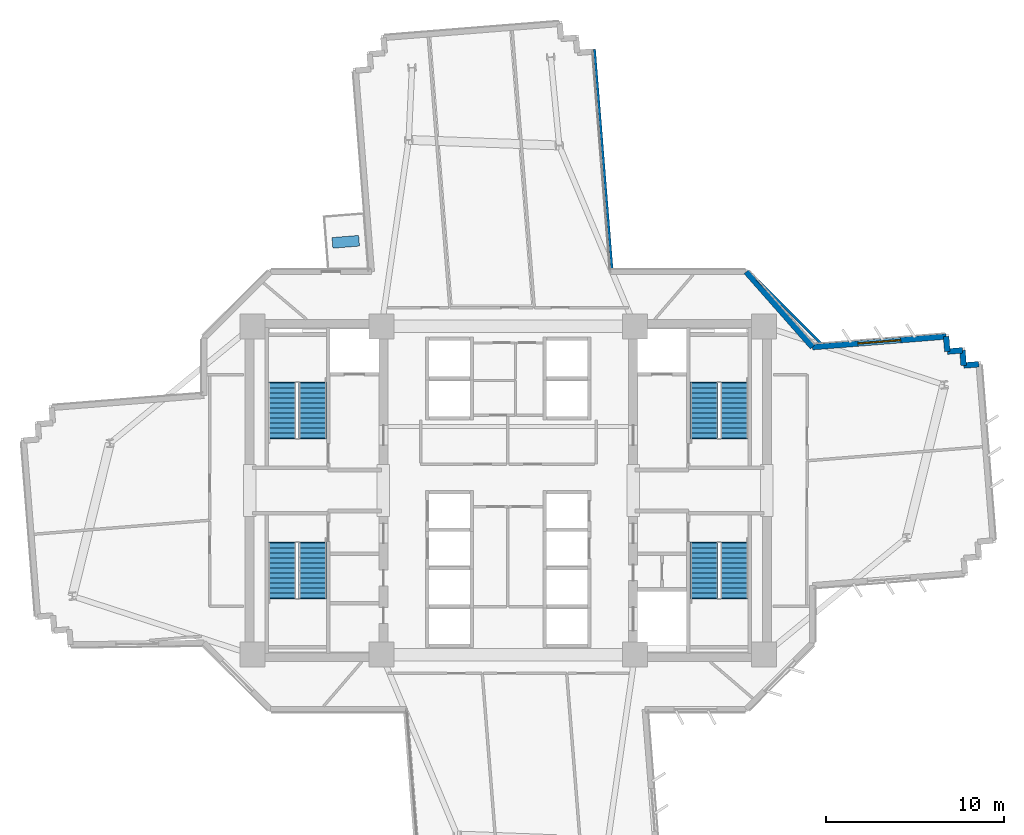
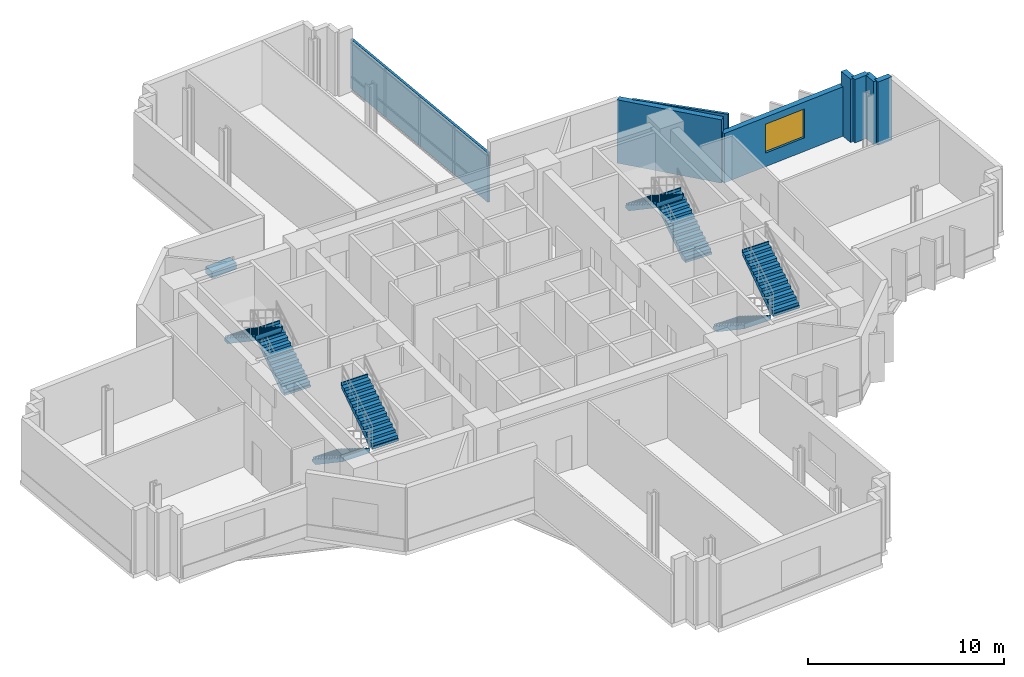
# One storey, part 10 of 15: 8 stair flights, 8 walls, 1 discrete accessory, 1 window, 1 opening, 4 elements without a shape of their own.
"""IFC4 building model written with IfcOpenShell, lengths in metres."""

from ifc_helpers import new_model, si_unit, direction, frame, frame_2d, origin, origin_2d, place, context, subcontext, project, spatial, polyline, rectangle, outline, extrude, source, transform, mapped, material, layer, layer_set, type_object, element, fill, aggregate, save


model = new_model("IFC4")

# Units and contexts
model_context = context("Model", 3, precision=1e-05, world=origin(), true_north=direction((0.0, 1.0)))
body_context = subcontext(model_context, "Body", "Model", "MODEL_VIEW")
ifc_project = project(units=[si_unit("LENGTHUNIT", "METRE"), si_unit("AREAUNIT", "SQUARE_METRE"), si_unit("VOLUMEUNIT", "CUBIC_METRE"), si_unit("PLANEANGLEUNIT", "RADIAN"), si_unit("MASSUNIT", "GRAM", prefix="KILO")], contexts=[model_context])

# Site, building, storey
site_placement = place(None, origin())
site = spatial("IfcSite", under=ifc_project, at=site_placement, CompositionType="ELEMENT")
building_placement = place(site_placement, origin())
building = spatial("IfcBuilding", under=site, at=building_placement, Name="Zahravan Cultural Tower", CompositionType="ELEMENT")
storey_placement = place(building_placement, frame((0.0, 0.0, 87.89990234375)))
storey = spatial("IfcBuildingStorey", under=building, at=storey_placement, Name="L19", CompositionType="ELEMENT", Elevation=87.89990234375)

# Wall, opening, window
ifc_material_1 = material(Name="Precast concrete C40/50", Category="concrete")
ifc_layer_1 = layer(ifc_material_1, 0.320068359375)
ifc_layer_set_1 = layer_set([ifc_layer_1], Name="Precast concrete C40/50")
wall_type_1 = type_object("IfcWallType", Name="EW-TC-320", PredefinedType="SOLIDWALL", material=ifc_layer_set_1)
wall_1_placement = place(storey_placement, frame((53.06005859375, 35.041748046875, 0.0), z_axis=(0.0, 0.0, 1.0), x_axis=(0.996834773193, 0.079501163223, 0.0)))
wall_1 = element("IfcWall", 1, at=wall_1_placement, inside=storey, type_object=wall_type_1, Name="L19 Exterior Masonry Frame Wall 01", PredefinedType="SOLIDWALL", context=body_context, shape_type="SweptSolid", body=[
    extrude(rectangle(XDim=7.514404296875, YDim=0.320068359375, at=frame_2d((3.75732421875, 0.0))), origin(), (0.0, 0.0, 1.0), 3.080078125),
])
opening_placement = place(wall_1_placement, frame((2.556884765625, 0.0, 0.85009765625)))
opening = element("IfcOpeningElement", 2, at=opening_placement, cuts=wall_1, Name="Opening WN-01", PredefinedType="OPENING", context=body_context, shape_type="SweptSolid", body=[
    extrude(rectangle(XDim=2.39990234375, YDim=1.800048828125, at=frame_2d((1.199951171875, 0.89990234375))), frame((0.0, 0.169921875, 0.0), z_axis=(0.0, -1.0, 0.0), x_axis=(1.0, 0.0, 0.0)), (0.0, 0.0, 1.0), 0.340087890625),
])
ifc_material_2 = material(Name="Low-E solar-control double glazing", Category="glass")
window_type = type_object("IfcWindowType", Name="WN-REC-2400X1800", PartitioningType="DOUBLE_PANEL_VERTICAL", PredefinedType="WINDOW", material=ifc_material_2)
shared_shape_1 = source(origin(), body_context, "Body", "SweptSolid", [
    extrude(rectangle(XDim=2.39990234375, YDim=1.800048828125, at=frame_2d((1.199951171875, 0.89990234375))), frame((0.0, 0.030029296875, 0.0), z_axis=(0.0, -1.0, 0.0), x_axis=(1.0, 0.0, 0.0)), (0.0, 0.0, 1.0), 0.06005859375),
])
window_placement = place(opening_placement, origin())
window = element("IfcWindow", 3, at=window_placement, inside=storey, type_object=window_type, Name="L19 Recessed Solar Window 01", OverallHeight=1.800048828125, OverallWidth=2.39990234375, PartitioningType="DOUBLE_PANEL_VERTICAL", PredefinedType="WINDOW", context=body_context, shape_type="MappedRepresentation", body=[
    mapped(shared_shape_1, transform((0.0, 0.0, 0.0), x_axis=(1.0, 0.0, 0.0), y_axis=(0.0, 1.0, 0.0), z_axis=(0.0, 0.0, 1.0), scale=1.0)),
])
fill(opening, window)

# Walls
shared_shape_2 = source(origin(), body_context, "Body", "SweptSolid", [
    extrude(rectangle(XDim=0.85009765625, YDim=0.320068359375, at=frame_2d((0.425048828125, 0.0))), origin(), (0.0, 0.0, 1.0), 3.9501953125),
])
for number, where, z_axis, x_axis, name in (
    (4, (60.618408203125, 34.7919921875, 0.0), (0.0, 0.0, 1.0), (0.996830783344, 0.079551174585, 0.0), "L19 Exterior Masonry Frame Wall 03"),
    (5, (61.4658203125, 34.859619140625, 0.0), (0.0, 0.0, 1.0), (0.079551174585, -0.996830783344, 0.0), "L19 Exterior Masonry Frame Wall 04"),
):
    element("IfcWall", number, at=place(storey_placement, frame(where, z_axis=z_axis, x_axis=x_axis)), inside=storey, type_object=wall_type_1, Name=name, PredefinedType="SOLIDWALL", context=body_context, shape_type="MappedRepresentation", body=[
        mapped(shared_shape_2, transform((0.0, 0.0, 0.0), x_axis=(1.0, 0.0, 0.0), y_axis=(0.0, 1.0, 0.0), z_axis=(0.0, 0.0, 1.0), scale=1.0)),
    ])
shared_shape_3 = source(origin(), body_context, "Body", "SweptSolid", [
    extrude(rectangle(XDim=0.849853515625, YDim=0.320068359375, at=frame_2d((0.4248046875, 0.0))), origin(), (0.0, 0.0, 1.0), 3.9501953125),
])
for number, where, z_axis, x_axis, name in (
    (6, (60.55078125, 35.63916015625, 0.0), (0.0, 0.0, 1.0), (0.079573954853, -0.996828965123, 0.0), "L19 Exterior Masonry Frame Wall 02"),
    (7, (61.533447265625, 34.01220703125, 0.0), (0.0, 0.0, 1.0), (0.996851711541, 0.079288493483, 0.0), "L19 Exterior Masonry Frame Wall 05"),
):
    element("IfcWall", number, at=place(storey_placement, frame(where, z_axis=z_axis, x_axis=x_axis)), inside=storey, type_object=wall_type_1, Name=name, PredefinedType="SOLIDWALL", context=body_context, shape_type="MappedRepresentation", body=[
        mapped(shared_shape_3, transform((0.0, 0.0, 0.0), x_axis=(1.0, 0.0, 0.0), y_axis=(0.0, 1.0, 0.0), z_axis=(0.0, 0.0, 1.0), scale=1.0)),
    ])
shared_shape_4 = source(origin(), body_context, "Body", "SweptSolid", [
    extrude(rectangle(XDim=5.623046875, YDim=0.320068359375, at=frame_2d((2.8115234375, 0.0))), origin(), (0.0, 0.0, 1.0), 3.9501953125),
])
wall_2_placement = place(storey_placement, frame((49.342041015625, 39.260009765625, 0.0), z_axis=(0.0, 0.0, 1.0), x_axis=(0.66122376427, -0.750188731963, 0.0)))
element("IfcWall", 8, at=wall_2_placement, inside=storey, type_object=wall_type_1, Name="L19 Exterior Masonry Frame Wall 52", PredefinedType="SOLIDWALL", context=body_context, shape_type="MappedRepresentation", body=[
    mapped(shared_shape_4, transform((0.0, 0.0, 0.0), x_axis=(1.0, 0.0, 0.0), y_axis=(0.0, 1.0, 0.0), z_axis=(0.0, 0.0, 1.0), scale=1.0)),
])
ifc_material_3 = material(Name="Gypsum plasterboard partition")
ifc_layer_2 = layer(ifc_material_3, 0.139892578125)
ifc_layer_set_2 = layer_set([ifc_layer_2], Name="Gypsum plasterboard partition")
wall_type_2 = type_object("IfcWallType", Name="W-PART-140", PredefinedType="PARTITIONING", material=ifc_layer_set_2)
shared_shape_5 = source(origin(), body_context, "Body", "SweptSolid", [
    extrude(rectangle(XDim=12.356201171875, YDim=0.139892578125, at=frame_2d((6.17822265625, 0.0))), origin(), (0.0, 0.0, 1.0), 3.080078125),
])
wall_3_placement = place(storey_placement, frame((40.828125, 51.7421875, 0.0), z_axis=(0.0, 0.0, 1.0), x_axis=(0.079527689156, -0.996832657299, 0.0)))
element("IfcWall", 9, at=wall_3_placement, inside=storey, type_object=wall_type_2, Name="L19 Interior Wall 097", PredefinedType="PARTITIONING", context=body_context, shape_type="MappedRepresentation", body=[
    mapped(shared_shape_5, transform((0.0, 0.0, 0.0), x_axis=(1.0, 0.0, 0.0), y_axis=(0.0, 1.0, 0.0), z_axis=(0.0, 0.0, 1.0), scale=1.0)),
])
shared_shape_6 = source(origin(), body_context, "Body", "SweptSolid", [
    extrude(rectangle(XDim=5.089599609375, YDim=0.139892578125, at=frame_2d((2.544921875, 0.0))), origin(), (0.0, 0.0, 1.0), 3.9501953125),
])
wall_4_placement = place(storey_placement, frame((49.931884765625, 38.83984375, 0.0), z_axis=(0.0, 0.0, 1.0), x_axis=(0.707106781187, -0.707106781187, 0.0)))
element("IfcWall", 10, at=wall_4_placement, inside=storey, type_object=wall_type_2, Name="L19 Interior Wall 102", PredefinedType="PARTITIONING", context=body_context, shape_type="MappedRepresentation", body=[
    mapped(shared_shape_6, transform((0.0, 0.0, 0.0), x_axis=(1.0, 0.0, 0.0), y_axis=(0.0, 1.0, 0.0), z_axis=(0.0, 0.0, 1.0), scale=1.0)),
])

# Stair, stair flights
ifc_material_4 = material(Name="Concrete C45/55", Category="concrete")
stair_type = type_object("IfcStairType", Name="STR-DL-1550-420", PredefinedType="HALF_TURN_STAIR", material=ifc_material_4)
stair_1_placement = place(storey_placement, origin())
stair_1 = element("IfcStair", 11, at=stair_1_placement, inside=storey, type_object=stair_type, Name="L19 West Core North Exit Stair ST-W1", PredefinedType="HALF_TURN_STAIR")
stair_flight_type = type_object("IfcStairFlightType", Name="FLG-DL-1550-420", PredefinedType="STRAIGHT", material=ifc_material_4)
stair_flight_1_placement = place(storey_placement, frame((25.02490234375, 29.949951171875, 0.0), z_axis=(0.0, 0.0, 1.0), x_axis=(0.0, 1.0, 0.0)))
stair_flight_1 = element("IfcStairFlight", 12, at=stair_flight_1_placement, type_object=stair_flight_type, Name="ST-W1 flight 1", NumberOfRisers=12, NumberOfTreads=11, PredefinedType="STRAIGHT", RiserHeight=0.175, TreadLength=0.28, context=body_context, shape_type="SweptSolid", body=[
    extrude(outline(polyline([(-0.06494140625, -0.139892578125), (-0.06494140625, 0.0), (0.0, 0.0), (0.0, 0.175048828125), (0.280029296875, 0.175048828125), (0.280029296875, 0.35009765625), (0.56005859375, 0.35009765625), (0.56005859375, 0.52490234375), (0.840087890625, 0.52490234375), (0.840087890625, 0.699951171875), (1.1201171875, 0.699951171875), (1.1201171875, 0.875), (1.39990234375, 0.875), (1.39990234375, 1.050048828125), (1.679931640625, 1.050048828125), (1.679931640625, 1.22509765625), (1.9599609375, 1.22509765625), (1.9599609375, 1.39990234375), (2.239990234375, 1.39990234375), (2.239990234375, 1.574951171875), (2.52001953125, 1.574951171875), (2.52001953125, 1.75), (2.800048828125, 1.75), (2.800048828125, 1.925048828125), (3.080078125, 1.925048828125), (3.080078125, 2.10009765625), (3.14501953125, 2.10009765625), (3.14501953125, 1.9501953125), (3.080078125, 1.748291015625), (0.28271484375, -0.139892578125), (-0.06494140625, -0.139892578125)])), frame((0.0, 0.77490234375, 0.0), z_axis=(0.0, -1.0, 0.0), x_axis=(1.0, 0.0, 0.0)), (0.0, 0.0, 1.0), 1.550048828125),
])
stair_flight_2_placement = place(storey_placement, frame((23.324951171875, 33.030029296875, 2.10009765625), z_axis=(0.0, 0.0, 1.0), x_axis=(0.0, -1.0, 0.0)))
stair_flight_2 = element("IfcStairFlight", 13, at=stair_flight_2_placement, type_object=stair_flight_type, Name="ST-W1 flight 2", NumberOfRisers=12, NumberOfTreads=11, PredefinedType="STRAIGHT", RiserHeight=0.175, TreadLength=0.28, context=body_context, shape_type="SweptSolid", body=[
    extrude(outline(polyline([(-0.06494140625, -0.139892578125), (-0.06494140625, 0.0), (0.0, 0.0), (0.0, 0.175048828125), (0.280029296875, 0.175048828125), (0.280029296875, 0.35009765625), (0.56005859375, 0.35009765625), (0.56005859375, 0.52490234375), (0.840087890625, 0.52490234375), (0.840087890625, 0.699951171875), (1.1201171875, 0.699951171875), (1.1201171875, 0.875), (1.39990234375, 0.875), (1.39990234375, 1.050048828125), (1.679931640625, 1.050048828125), (1.679931640625, 1.22509765625), (1.9599609375, 1.22509765625), (1.9599609375, 1.39990234375), (2.239990234375, 1.39990234375), (2.239990234375, 1.574951171875), (2.52001953125, 1.574951171875), (2.52001953125, 1.75), (2.800048828125, 1.75), (2.800048828125, 1.925048828125), (3.080078125, 1.925048828125), (3.080078125, 2.10009765625), (3.14501953125, 2.10009765625), (3.14501953125, 1.9501953125), (3.080078125, 1.748291015625), (0.28271484375, -0.139892578125), (-0.06494140625, -0.139892578125)])), frame((0.0, 0.77490234375, 0.0), z_axis=(0.0, -1.0, 0.0), x_axis=(1.0, 0.0, 0.0)), (0.0, 0.0, 1.0), 1.550048828125),
])
aggregate(stair_1, [stair_flight_1, stair_flight_2])

stair_2_placement = place(storey_placement, origin())
stair_2 = element("IfcStair", 14, at=stair_2_placement, inside=storey, type_object=stair_type, Name="L19 West Core South Exit Stair ST-W2", PredefinedType="HALF_TURN_STAIR")
stair_flight_3_placement = place(storey_placement, frame((23.324951171875, 24.050048828125, 0.0), z_axis=(0.0, 0.0, 1.0), x_axis=(0.0, -1.0, 0.0)))
stair_flight_3 = element("IfcStairFlight", 15, at=stair_flight_3_placement, type_object=stair_flight_type, Name="ST-W2 flight 1", NumberOfRisers=12, NumberOfTreads=11, PredefinedType="STRAIGHT", RiserHeight=0.175, TreadLength=0.28, context=body_context, shape_type="SweptSolid", body=[
    extrude(outline(polyline([(-0.06494140625, -0.139892578125), (-0.06494140625, 0.0), (0.0, 0.0), (0.0, 0.175048828125), (0.280029296875, 0.175048828125), (0.280029296875, 0.35009765625), (0.56005859375, 0.35009765625), (0.56005859375, 0.52490234375), (0.840087890625, 0.52490234375), (0.840087890625, 0.699951171875), (1.1201171875, 0.699951171875), (1.1201171875, 0.875), (1.39990234375, 0.875), (1.39990234375, 1.050048828125), (1.679931640625, 1.050048828125), (1.679931640625, 1.22509765625), (1.9599609375, 1.22509765625), (1.9599609375, 1.39990234375), (2.239990234375, 1.39990234375), (2.239990234375, 1.574951171875), (2.52001953125, 1.574951171875), (2.52001953125, 1.75), (2.800048828125, 1.75), (2.800048828125, 1.925048828125), (3.080078125, 1.925048828125), (3.080078125, 2.10009765625), (3.14501953125, 2.10009765625), (3.14501953125, 1.9501953125), (3.080078125, 1.748291015625), (0.28271484375, -0.139892578125), (-0.06494140625, -0.139892578125)])), frame((0.0, 0.77490234375, 0.0), z_axis=(0.0, -1.0, 0.0), x_axis=(1.0, 0.0, 0.0)), (0.0, 0.0, 1.0), 1.550048828125),
])
stair_flight_4_placement = place(storey_placement, frame((25.02490234375, 20.969970703125, 2.10009765625), z_axis=(0.0, 0.0, 1.0), x_axis=(0.0, 1.0, 0.0)))
stair_flight_4 = element("IfcStairFlight", 16, at=stair_flight_4_placement, type_object=stair_flight_type, Name="ST-W2 flight 2", NumberOfRisers=12, NumberOfTreads=11, PredefinedType="STRAIGHT", RiserHeight=0.175, TreadLength=0.28, context=body_context, shape_type="SweptSolid", body=[
    extrude(outline(polyline([(-0.06494140625, -0.139892578125), (-0.06494140625, 0.0), (0.0, 0.0), (0.0, 0.175048828125), (0.280029296875, 0.175048828125), (0.280029296875, 0.35009765625), (0.56005859375, 0.35009765625), (0.56005859375, 0.52490234375), (0.840087890625, 0.52490234375), (0.840087890625, 0.699951171875), (1.1201171875, 0.699951171875), (1.1201171875, 0.875), (1.39990234375, 0.875), (1.39990234375, 1.050048828125), (1.679931640625, 1.050048828125), (1.679931640625, 1.22509765625), (1.9599609375, 1.22509765625), (1.9599609375, 1.39990234375), (2.239990234375, 1.39990234375), (2.239990234375, 1.574951171875), (2.52001953125, 1.574951171875), (2.52001953125, 1.75), (2.800048828125, 1.75), (2.800048828125, 1.925048828125), (3.080078125, 1.925048828125), (3.080078125, 2.10009765625), (3.14501953125, 2.10009765625), (3.14501953125, 1.9501953125), (3.080078125, 1.748291015625), (0.28271484375, -0.139892578125), (-0.06494140625, -0.139892578125)])), frame((0.0, 0.77490234375, 0.0), z_axis=(0.0, -1.0, 0.0), x_axis=(1.0, 0.0, 0.0)), (0.0, 0.0, 1.0), 1.550048828125),
])
aggregate(stair_2, [stair_flight_3, stair_flight_4])

stair_3_placement = place(storey_placement, origin())
stair_3 = element("IfcStair", 17, at=stair_3_placement, inside=storey, type_object=stair_type, Name="L19 East Core North Exit Stair ST-E1", PredefinedType="HALF_TURN_STAIR")
stair_flight_5_placement = place(storey_placement, frame((48.675048828125, 29.949951171875, 0.0), z_axis=(0.0, 0.0, 1.0), x_axis=(0.0, 1.0, 0.0)))
stair_flight_5 = element("IfcStairFlight", 18, at=stair_flight_5_placement, type_object=stair_flight_type, Name="ST-E1 flight 1", NumberOfRisers=12, NumberOfTreads=11, PredefinedType="STRAIGHT", RiserHeight=0.175, TreadLength=0.28, context=body_context, shape_type="SweptSolid", body=[
    extrude(outline(polyline([(-0.06494140625, -0.139892578125), (-0.06494140625, 0.0), (0.0, 0.0), (0.0, 0.175048828125), (0.280029296875, 0.175048828125), (0.280029296875, 0.35009765625), (0.56005859375, 0.35009765625), (0.56005859375, 0.52490234375), (0.840087890625, 0.52490234375), (0.840087890625, 0.699951171875), (1.1201171875, 0.699951171875), (1.1201171875, 0.875), (1.39990234375, 0.875), (1.39990234375, 1.050048828125), (1.679931640625, 1.050048828125), (1.679931640625, 1.22509765625), (1.9599609375, 1.22509765625), (1.9599609375, 1.39990234375), (2.239990234375, 1.39990234375), (2.239990234375, 1.574951171875), (2.52001953125, 1.574951171875), (2.52001953125, 1.75), (2.800048828125, 1.75), (2.800048828125, 1.925048828125), (3.080078125, 1.925048828125), (3.080078125, 2.10009765625), (3.14501953125, 2.10009765625), (3.14501953125, 1.9501953125), (3.080078125, 1.748291015625), (0.28271484375, -0.139892578125), (-0.06494140625, -0.139892578125)])), frame((0.0, 0.77490234375, 0.0), z_axis=(0.0, -1.0, 0.0), x_axis=(1.0, 0.0, 0.0)), (0.0, 0.0, 1.0), 1.550048828125),
])
stair_flight_6_placement = place(storey_placement, frame((46.97509765625, 33.030029296875, 2.10009765625), z_axis=(0.0, 0.0, 1.0), x_axis=(0.0, -1.0, 0.0)))
stair_flight_6 = element("IfcStairFlight", 19, at=stair_flight_6_placement, type_object=stair_flight_type, Name="ST-E1 flight 2", NumberOfRisers=12, NumberOfTreads=11, PredefinedType="STRAIGHT", RiserHeight=0.175, TreadLength=0.28, context=body_context, shape_type="SweptSolid", body=[
    extrude(outline(polyline([(-0.06494140625, -0.139892578125), (-0.06494140625, 0.0), (0.0, 0.0), (0.0, 0.175048828125), (0.280029296875, 0.175048828125), (0.280029296875, 0.35009765625), (0.56005859375, 0.35009765625), (0.56005859375, 0.52490234375), (0.840087890625, 0.52490234375), (0.840087890625, 0.699951171875), (1.1201171875, 0.699951171875), (1.1201171875, 0.875), (1.39990234375, 0.875), (1.39990234375, 1.050048828125), (1.679931640625, 1.050048828125), (1.679931640625, 1.22509765625), (1.9599609375, 1.22509765625), (1.9599609375, 1.39990234375), (2.239990234375, 1.39990234375), (2.239990234375, 1.574951171875), (2.52001953125, 1.574951171875), (2.52001953125, 1.75), (2.800048828125, 1.75), (2.800048828125, 1.925048828125), (3.080078125, 1.925048828125), (3.080078125, 2.10009765625), (3.14501953125, 2.10009765625), (3.14501953125, 1.9501953125), (3.080078125, 1.748291015625), (0.28271484375, -0.139892578125), (-0.06494140625, -0.139892578125)])), frame((0.0, 0.77490234375, 0.0), z_axis=(0.0, -1.0, 0.0), x_axis=(1.0, 0.0, 0.0)), (0.0, 0.0, 1.0), 1.550048828125),
])
aggregate(stair_3, [stair_flight_5, stair_flight_6])

stair_4_placement = place(storey_placement, origin())
stair_4 = element("IfcStair", 20, at=stair_4_placement, inside=storey, type_object=stair_type, Name="L19 East Core South Exit Stair ST-E2", PredefinedType="HALF_TURN_STAIR")
stair_flight_7_placement = place(storey_placement, frame((46.97509765625, 24.050048828125, 0.0), z_axis=(0.0, 0.0, 1.0), x_axis=(0.0, -1.0, 0.0)))
stair_flight_7 = element("IfcStairFlight", 21, at=stair_flight_7_placement, type_object=stair_flight_type, Name="ST-E2 flight 1", NumberOfRisers=12, NumberOfTreads=11, PredefinedType="STRAIGHT", RiserHeight=0.175, TreadLength=0.28, context=body_context, shape_type="SweptSolid", body=[
    extrude(outline(polyline([(-0.06494140625, -0.139892578125), (-0.06494140625, 0.0), (0.0, 0.0), (0.0, 0.175048828125), (0.280029296875, 0.175048828125), (0.280029296875, 0.35009765625), (0.56005859375, 0.35009765625), (0.56005859375, 0.52490234375), (0.840087890625, 0.52490234375), (0.840087890625, 0.699951171875), (1.1201171875, 0.699951171875), (1.1201171875, 0.875), (1.39990234375, 0.875), (1.39990234375, 1.050048828125), (1.679931640625, 1.050048828125), (1.679931640625, 1.22509765625), (1.9599609375, 1.22509765625), (1.9599609375, 1.39990234375), (2.239990234375, 1.39990234375), (2.239990234375, 1.574951171875), (2.52001953125, 1.574951171875), (2.52001953125, 1.75), (2.800048828125, 1.75), (2.800048828125, 1.925048828125), (3.080078125, 1.925048828125), (3.080078125, 2.10009765625), (3.14501953125, 2.10009765625), (3.14501953125, 1.9501953125), (3.080078125, 1.748291015625), (0.28271484375, -0.139892578125), (-0.06494140625, -0.139892578125)])), frame((0.0, 0.77490234375, 0.0), z_axis=(0.0, -1.0, 0.0), x_axis=(1.0, 0.0, 0.0)), (0.0, 0.0, 1.0), 1.550048828125),
])
stair_flight_8_placement = place(storey_placement, frame((48.675048828125, 20.969970703125, 2.10009765625), z_axis=(0.0, 0.0, 1.0), x_axis=(0.0, 1.0, 0.0)))
stair_flight_8 = element("IfcStairFlight", 22, at=stair_flight_8_placement, type_object=stair_flight_type, Name="ST-E2 flight 2", NumberOfRisers=12, NumberOfTreads=11, PredefinedType="STRAIGHT", RiserHeight=0.175, TreadLength=0.28, context=body_context, shape_type="SweptSolid", body=[
    extrude(outline(polyline([(-0.06494140625, -0.139892578125), (-0.06494140625, 0.0), (0.0, 0.0), (0.0, 0.175048828125), (0.280029296875, 0.175048828125), (0.280029296875, 0.35009765625), (0.56005859375, 0.35009765625), (0.56005859375, 0.52490234375), (0.840087890625, 0.52490234375), (0.840087890625, 0.699951171875), (1.1201171875, 0.699951171875), (1.1201171875, 0.875), (1.39990234375, 0.875), (1.39990234375, 1.050048828125), (1.679931640625, 1.050048828125), (1.679931640625, 1.22509765625), (1.9599609375, 1.22509765625), (1.9599609375, 1.39990234375), (2.239990234375, 1.39990234375), (2.239990234375, 1.574951171875), (2.52001953125, 1.574951171875), (2.52001953125, 1.75), (2.800048828125, 1.75), (2.800048828125, 1.925048828125), (3.080078125, 1.925048828125), (3.080078125, 2.10009765625), (3.14501953125, 2.10009765625), (3.14501953125, 1.9501953125), (3.080078125, 1.748291015625), (0.28271484375, -0.139892578125), (-0.06494140625, -0.139892578125)])), frame((0.0, 0.77490234375, 0.0), z_axis=(0.0, -1.0, 0.0), x_axis=(1.0, 0.0, 0.0)), (0.0, 0.0, 1.0), 1.550048828125),
])
aggregate(stair_4, [stair_flight_7, stair_flight_8])

# Discrete accessory
ifc_material_5 = material(Name="Planted soil and terracotta planter", Category="masonry")
discrete_accessory_type = type_object("IfcDiscreteAccessoryType", Name="ACC-PLANTER-TC", PredefinedType="USERDEFINED", material=ifc_material_5)
shared_shape_7 = source(origin(), body_context, "Body", "SweptSolid", [
    extrude(rectangle(XDim=1.5, YDim=0.60009765625, at=origin_2d()), origin(), (0.0, 0.0, 1.0), 0.419921875),
])
discrete_accessory_placement = place(storey_placement, frame((26.885009765625, 40.944091796875, 0.000244140625), z_axis=(0.0, 0.0, 1.0), x_axis=(0.996834624954, 0.079503021908, 0.0)))
element("IfcDiscreteAccessory", 23, at=discrete_accessory_placement, inside=storey, type_object=discrete_accessory_type, Name="L19 Terracotta Sculpture Planter NW", ObjectType="PLANTER", PredefinedType="USERDEFINED", context=body_context, shape_type="MappedRepresentation", body=[
    mapped(shared_shape_7, transform((0.0, 0.0, 0.0), x_axis=(1.0, 0.0, 0.0), y_axis=(0.0, 1.0, 0.0), z_axis=(0.0, 0.0, 1.0), scale=1.0)),
])

save(model, "model.ifc")
